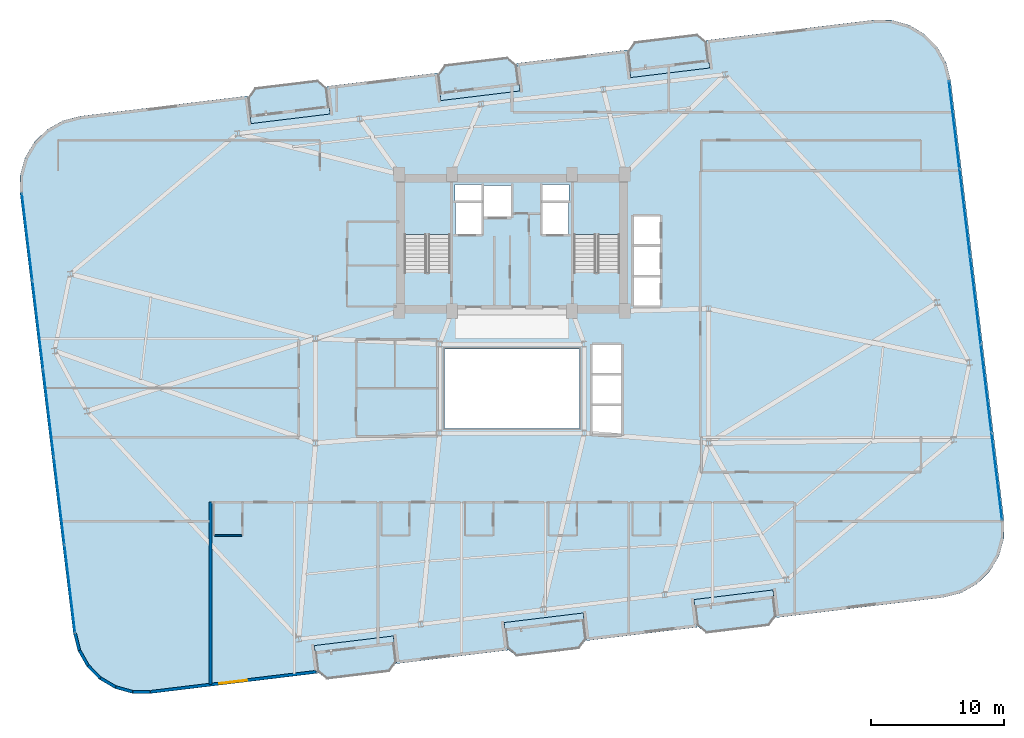
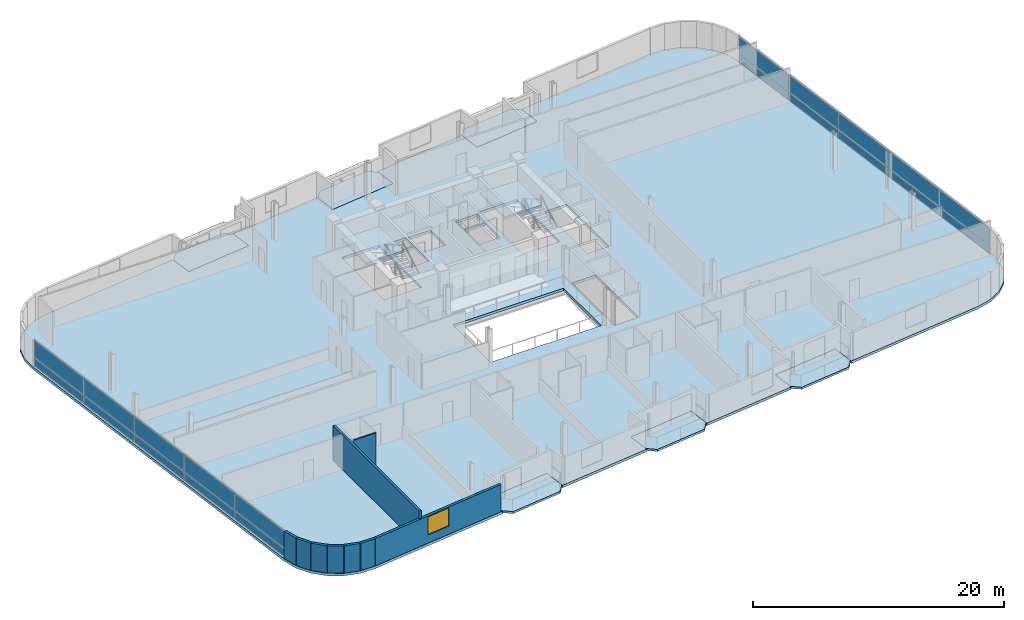
# One storey, part 13 of 22: 20 plates, 9 slabs, 9 walls, 1 window, 1 opening, 4 elements without a shape of their own.
"""IFC4 building model written with IfcOpenShell, lengths in metres."""

from ifc_helpers import new_model, si_unit, direction, frame, frame_2d, origin, origin_2d, place, context, subcontext, project, spatial, polyline, rectangle, outline, extrude, source, transform, mapped, material, layer, layer_set, type_object, element, fill, aggregate, save


model = new_model("IFC4")

# Units and contexts
model_context = context("Model", 3, precision=1e-05, world=origin(), true_north=direction((0.0, 1.0)))
body_context = subcontext(model_context, "Body", "Model", "MODEL_VIEW")
ifc_project = project(units=[si_unit("LENGTHUNIT", "METRE"), si_unit("AREAUNIT", "SQUARE_METRE"), si_unit("VOLUMEUNIT", "CUBIC_METRE"), si_unit("PLANEANGLEUNIT", "RADIAN"), si_unit("MASSUNIT", "GRAM", prefix="KILO")], contexts=[model_context])

# Site, building, storey
site_placement = place(None, origin())
site = spatial("IfcSite", under=ifc_project, at=site_placement, CompositionType="ELEMENT")
building_placement = place(site_placement, origin())
building = spatial("IfcBuilding", under=site, at=building_placement, Name="Varnelok Gate Tower", CompositionType="ELEMENT")
storey_placement = place(building_placement, frame((0.0, 0.0, 204.199951171875)))
storey = spatial("IfcBuildingStorey", under=building, at=storey_placement, Name="L52", CompositionType="ELEMENT", Elevation=204.199951171875)

# Slabs
ifc_material_1 = material(Name="Concrete C45/55", Category="concrete")
ifc_layer_1 = layer(ifc_material_1, 0.199951171875)
ifc_layer_set_1 = layer_set([ifc_layer_1], Name="Concrete C45/55")
slab_type_1 = type_object("IfcSlabType", Name="SLB-BALC-200", PredefinedType="FLOOR", material=ifc_layer_set_1)
slab_1_placement = place(storey_placement, frame((0.0, 0.0, -0.199951171875)))
element("IfcSlab", 1, at=slab_1_placement, inside=storey, type_object=slab_type_1, Name="L52 South Hollow Balcony 1", PredefinedType="FLOOR", context=body_context, shape_type="SweptSolid", body=[
    extrude(outline(polyline([(24.550048828125, 1.564453125), (25.2734375, 0.997314453125), (29.939208984375, 1.56298828125), (30.50634765625, 2.28662109375), (30.265625, 4.27197265625), (24.309326171875, 3.5498046875), (24.550048828125, 1.564453125)])), origin(), (0.0, 0.0, 1.0), 0.199951171875),
])
slab_2_placement = place(storey_placement, frame((0.0, 0.0, -0.199951171875)))
element("IfcSlab", 2, at=slab_2_placement, inside=storey, type_object=slab_type_1, Name="L52 South Hollow Balcony 2", PredefinedType="FLOOR", context=body_context, shape_type="SweptSolid", body=[
    extrude(outline(polyline([(38.84521484375, 3.29736328125), (39.56884765625, 2.73046875), (44.234619140625, 3.2958984375), (44.8017578125, 4.01953125), (44.56103515625, 6.0048828125), (38.6044921875, 5.282958984375), (38.84521484375, 3.29736328125)])), origin(), (0.0, 0.0, 1.0), 0.199951171875),
])
slab_3_placement = place(storey_placement, frame((0.0, 0.0, -0.199951171875)))
element("IfcSlab", 3, at=slab_3_placement, inside=storey, type_object=slab_type_1, Name="L52 South Hollow Balcony 3", PredefinedType="FLOOR", context=body_context, shape_type="SweptSolid", body=[
    extrude(outline(polyline([(53.140625, 5.030517578125), (53.8642578125, 4.46337890625), (58.530029296875, 5.02880859375), (59.09716796875, 5.75244140625), (58.8564453125, 7.73779296875), (52.89990234375, 7.015869140625), (53.140625, 5.030517578125)])), origin(), (0.0, 0.0, 1.0), 0.199951171875),
])
slab_4_placement = place(storey_placement, frame((0.0, 0.0, -0.199951171875)))
element("IfcSlab", 4, at=slab_4_placement, inside=storey, type_object=slab_type_1, Name="L52 North Hollow Balcony 1", PredefinedType="FLOOR", context=body_context, shape_type="SweptSolid", body=[
    extrude(outline(polyline([(19.543701171875, 42.862060546875), (25.5, 43.584228515625), (25.25927734375, 45.569580078125), (24.535888671875, 46.13671875), (19.8701171875, 45.571044921875), (19.302978515625, 44.84765625), (19.543701171875, 42.862060546875)])), origin(), (0.0, 0.0, 1.0), 0.199951171875),
])
slab_5_placement = place(storey_placement, frame((0.0, 0.0, -0.199951171875)))
element("IfcSlab", 5, at=slab_5_placement, inside=storey, type_object=slab_type_1, Name="L52 North Hollow Balcony 2", PredefinedType="FLOOR", context=body_context, shape_type="SweptSolid", body=[
    extrude(outline(polyline([(33.839111328125, 44.59521484375), (39.79541015625, 45.317138671875), (39.5546875, 47.302490234375), (38.831298828125, 47.86962890625), (34.165283203125, 47.303955078125), (33.598388671875, 46.58056640625), (33.839111328125, 44.59521484375)])), origin(), (0.0, 0.0, 1.0), 0.199951171875),
])
slab_6_placement = place(storey_placement, frame((0.0, 0.0, -0.199951171875)))
element("IfcSlab", 6, at=slab_6_placement, inside=storey, type_object=slab_type_1, Name="L52 North Hollow Balcony 3", PredefinedType="FLOOR", context=body_context, shape_type="SweptSolid", body=[
    extrude(outline(polyline([(48.13427734375, 46.327880859375), (54.0908203125, 47.050048828125), (53.85009765625, 49.03564453125), (53.12646484375, 49.6025390625), (48.460693359375, 49.037109375), (47.8935546875, 48.3134765625), (48.13427734375, 46.327880859375)])), origin(), (0.0, 0.0, 1.0), 0.199951171875),
])

# Stair, slab
ifc_material_2 = material(Name="Concrete C50/60", Category="concrete")
stair_type = type_object("IfcStairType", Name="STR-CORE-1650", PredefinedType="HALF_TURN_STAIR", material=ifc_material_2)
stair_1_placement = place(storey_placement, origin())
stair_1 = element("IfcStair", 7, at=stair_1_placement, inside=storey, type_object=stair_type, Name="L52 Exit Stair ST-1", PredefinedType="HALF_TURN_STAIR")
ifc_layer_2 = layer(ifc_material_1, 0.199951171875)
ifc_layer_set_2 = layer_set([ifc_layer_2], Name="Concrete C45/55")
slab_type_2 = type_object("IfcSlabType", Name="SLB-LAND-200", PredefinedType="LANDING", material=ifc_layer_set_2)
slab_7_placement = place(storey_placement, frame((0.0, 0.0, 1.650146484375)))
slab_7 = element("IfcSlab", 8, at=slab_7_placement, type_object=slab_type_2, Name="ST-1 landing 1", PredefinedType="LANDING", context=body_context, shape_type="SweptSolid", body=[
    extrude(outline(polyline([(34.550048828125, 34.5), (34.550048828125, 38.449951171875), (31.10009765625, 38.449951171875), (31.10009765625, 34.5), (34.550048828125, 34.5)])), origin(), (0.0, 0.0, 1.0), 0.199951171875),
])
aggregate(stair_1, [slab_7])

stair_2_placement = place(storey_placement, origin())
stair_2 = element("IfcStair", 9, at=stair_2_placement, inside=storey, type_object=stair_type, Name="L52 Exit Stair ST-2", PredefinedType="HALF_TURN_STAIR")
slab_8_placement = place(storey_placement, frame((0.0, 0.0, 1.650146484375)))
slab_8 = element("IfcSlab", 10, at=slab_8_placement, type_object=slab_type_2, Name="ST-2 landing 1", PredefinedType="LANDING", context=body_context, shape_type="SweptSolid", body=[
    extrude(outline(polyline([(47.300048828125, 34.5), (47.300048828125, 38.449951171875), (43.85009765625, 38.449951171875), (43.85009765625, 34.5), (47.300048828125, 34.5)])), origin(), (0.0, 0.0, 1.0), 0.199951171875),
])
aggregate(stair_2, [slab_8])

# Slab
ifc_layer_3 = layer(ifc_material_2, 0.25)
ifc_layer_set_3 = layer_set([ifc_layer_3], Name="Concrete C50/60")
slab_type_3 = type_object("IfcSlabType", Name="SLB-TYP-250", PredefinedType="FLOOR", material=ifc_layer_set_3)
slab_9_placement = place(storey_placement, frame((0.0, 0.0, -0.25)))
element("IfcSlab", 11, at=slab_9_placement, inside=storey, type_object=slab_type_3, Name="L52 Structural Floor Slab", PredefinedType="FLOOR", context=body_context, shape_type="SweptSolid", body=[
    extrude(outline(polyline([(6.166259765625, 4.47314453125), (6.504150390625, 3.158447265625), (7.1708984375, 1.975830078125), (8.120849609375, 1.006103515625), (9.289306640625, 0.3154296875), (10.596923828125, -0.04931640625), (11.954345703125, -0.063232421875), (22.87451171875, 1.260498046875), (24.56201171875, 1.465087890625), (24.309326171875, 3.5498046875), (30.265625, 4.27197265625), (30.518310546875, 2.187255859375), (38.857421875, 3.197998046875), (38.6044921875, 5.282958984375), (44.56103515625, 6.0048828125), (44.813720703125, 3.920166015625), (53.152587890625, 4.93115234375), (52.89990234375, 7.015869140625), (58.8564453125, 7.73779296875), (59.109130859375, 5.6533203125), (60.796630859375, 5.85791015625), (71.716796875, 7.181396484375), (73.031494140625, 7.519287109375), (74.214111328125, 8.18603515625), (75.183837890625, 9.135986328125), (75.87451171875, 10.3046875), (76.2392578125, 11.612060546875), (76.253173828125, 12.969482421875), (72.233642578125, 46.126708984375), (71.895751953125, 47.441650390625), (71.229248046875, 48.6240234375), (70.279296875, 49.59375), (69.110595703125, 50.284423828125), (67.802978515625, 50.6494140625), (66.44580078125, 50.6630859375), (55.525634765625, 49.33935546875), (53.837890625, 49.134765625), (54.0908203125, 47.050048828125), (48.13427734375, 46.327880859375), (47.881591796875, 48.412841796875), (39.54248046875, 47.40185546875), (39.79541015625, 45.317138671875), (33.839111328125, 44.59521484375), (33.586181640625, 46.6796875), (25.247314453125, 45.6689453125), (25.5, 43.584228515625), (19.543701171875, 42.862060546875), (19.291015625, 44.94677734375), (17.603271484375, 44.7421875), (6.68310546875, 43.41845703125), (5.368408203125, 43.08056640625), (4.18603515625, 42.413818359375), (3.21630859375, 41.464111328125), (2.525390625, 40.29541015625), (2.16064453125, 38.98779296875), (2.146728515625, 37.630615234375), (6.166259765625, 4.47314453125)]), holes=[polyline([(34.550048828125, 31.679931640625), (34.550048828125, 38.449951171875), (31.10009765625, 38.449951171875), (31.10009765625, 31.679931640625), (34.550048828125, 31.679931640625)]), polyline([(47.300048828125, 31.679931640625), (47.300048828125, 38.449951171875), (43.85009765625, 38.449951171875), (43.85009765625, 31.679931640625), (47.300048828125, 31.679931640625)]), polyline([(34.949951171875, 34.550048828125), (36.89990234375, 34.550048828125), (36.89990234375, 36.89990234375), (34.949951171875, 36.89990234375), (34.949951171875, 34.550048828125)]), polyline([(41.5, 34.550048828125), (43.449951171875, 34.550048828125), (43.449951171875, 36.89990234375), (41.5, 36.89990234375), (41.5, 34.550048828125)]), polyline([(37.050048828125, 35.85009765625), (39.14990234375, 35.85009765625), (39.14990234375, 38.199951171875), (37.050048828125, 38.199951171875), (37.050048828125, 35.85009765625)]), polyline([(48.35009765625, 29.14990234375), (50.35009765625, 29.14990234375), (50.35009765625, 35.89990234375), (48.35009765625, 35.89990234375), (48.35009765625, 29.14990234375)]), polyline([(45.25, 19.449951171875), (47.449951171875, 19.449951171875), (47.449951171875, 26.199951171875), (45.25, 26.199951171875), (45.25, 19.449951171875)]), polyline([(34.919921875, 37.080078125), (36.89990234375, 37.080078125), (36.89990234375, 38.280029296875), (34.919921875, 38.280029296875), (34.919921875, 37.080078125)]), polyline([(41.5, 37.080078125), (43.47998046875, 37.080078125), (43.47998046875, 38.280029296875), (41.5, 38.280029296875), (41.5, 37.080078125)]), polyline([(34.10009765625, 19.89990234375), (44.300048828125, 19.89990234375), (44.300048828125, 25.89990234375), (34.10009765625, 25.89990234375), (34.10009765625, 19.89990234375)])]), origin(), (0.0, 0.0, 1.0), 0.25),
])

# Curtain wall, plates
ifc_material_3 = material(Name="Anodized Aluminum Alloy 6063-T6", Category="aluminium")
ifc_layer_4 = layer(ifc_material_3, 0.179931640625)
ifc_layer_set_4 = layer_set([ifc_layer_4], Name="Anodized Aluminum Alloy 6063-T6")
curtain_wall_type = type_object("IfcCurtainWallType", Name="CW4-RESIDENCE-VISION", PredefinedType="USERDEFINED", material=ifc_layer_set_4)
curtain_wall_1_placement = place(storey_placement, origin())
curtain_wall_1 = element("IfcCurtainWall", 12, at=curtain_wall_1_placement, inside=storey, type_object=curtain_wall_type, Name="L52 West End Vision Curtain Wall", ObjectType="UNITISED CURTAIN WALL", PredefinedType="USERDEFINED")
ifc_material_4 = material(Name="Low-E Laminated Double Glazing IGU", Category="glass")
ifc_layer_5 = layer(ifc_material_4, 0.035888671875)
ifc_layer_set_5 = layer_set([ifc_layer_5], Name="Low-E Laminated Double Glazing IGU")
plate_type = type_object("IfcPlateType", Name="CW-PNL-IGU36", PredefinedType="CURTAIN_PANEL", material=ifc_layer_set_5)
shared_shape_1 = source(origin(), body_context, "Body", "SweptSolid", [
    extrude(rectangle(XDim=6.5673828125, YDim=0.035888671875, at=origin_2d()), origin(), (0.0, 0.0, 1.0), 0.78759765625),
])
plate_1_placement = place(storey_placement, frame((5.901123046875, 7.824462890625, 0.074951171875), z_axis=(0.0, 0.0, 1.0), x_axis=(-0.120344511371, 0.992732188751, 0.0)))
plate_1 = element("IfcPlate", 13, at=plate_1_placement, type_object=plate_type, Name="CW4 panel 1.1", PredefinedType="CURTAIN_PANEL", context=body_context, shape_type="MappedRepresentation", body=[
    mapped(shared_shape_1, transform((0.0, 0.0, 0.0), scale=1.0)),
])
plate_2_placement = place(storey_placement, frame((2.68994140625, 34.31298828125, 0.074951171875), z_axis=(0.0, 0.0, 1.0), x_axis=(-0.120344511371, 0.992732188751, 0.0)))
plate_2 = element("IfcPlate", 14, at=plate_2_placement, type_object=plate_type, Name="CW4 panel 5.1", PredefinedType="CURTAIN_PANEL", context=body_context, shape_type="MappedRepresentation", body=[
    mapped(shared_shape_1, transform((0.0, 0.0, 0.0), scale=1.0)),
])

curtain_wall_2_placement = place(storey_placement, origin())
curtain_wall_2 = element("IfcCurtainWall", 15, at=curtain_wall_2_placement, inside=storey, type_object=curtain_wall_type, Name="L52 East End Vision Curtain Wall", ObjectType="UNITISED CURTAIN WALL", PredefinedType="USERDEFINED")
plate_3_placement = place(storey_placement, frame((72.4990234375, 42.775634765625, 0.074951171875), z_axis=(0.0, 0.0, 1.0), x_axis=(0.120344511371, -0.992732188751, 0.0)))
plate_3 = element("IfcPlate", 16, at=plate_3_placement, type_object=plate_type, Name="CW4 panel 1.1", PredefinedType="CURTAIN_PANEL", context=body_context, shape_type="MappedRepresentation", body=[
    mapped(shared_shape_1, transform((0.0, 0.0, 0.0), scale=1.0)),
])
plate_4_placement = place(storey_placement, frame((75.7099609375, 16.287109375, 0.074951171875), z_axis=(0.0, 0.0, 1.0), x_axis=(0.120344511371, -0.992732188751, 0.0)))
plate_4 = element("IfcPlate", 17, at=plate_4_placement, type_object=plate_type, Name="CW4 panel 5.1", PredefinedType="CURTAIN_PANEL", context=body_context, shape_type="MappedRepresentation", body=[
    mapped(shared_shape_1, transform((0.0, 0.0, 0.0), scale=1.0)),
])

# Plate
shared_shape_2 = source(origin(), body_context, "Body", "SweptSolid", [
    extrude(rectangle(XDim=6.60498046875, YDim=0.035888671875, at=origin_2d()), origin(), (0.0, 0.0, 1.0), 0.78759765625),
])
plate_5_placement = place(storey_placement, frame((5.099365234375, 14.437255859375, 0.074951171875), z_axis=(0.0, 0.0, 1.0), x_axis=(-0.120344511371, 0.992732188751, 0.0)))
plate_5 = element("IfcPlate", 18, at=plate_5_placement, type_object=plate_type, Name="CW4 panel 2.1", PredefinedType="CURTAIN_PANEL", context=body_context, shape_type="MappedRepresentation", body=[
    mapped(shared_shape_2, transform((0.0, 0.0, 0.0), scale=1.0)),
])

plate_6_placement = place(storey_placement, frame((4.295654296875, 21.068603515625, 0.074951171875), z_axis=(0.0, 0.0, 1.0), x_axis=(-0.120344511371, 0.992732188751, 0.0)))
plate_6 = element("IfcPlate", 19, at=plate_6_placement, type_object=plate_type, Name="CW4 panel 3.1", PredefinedType="CURTAIN_PANEL", context=body_context, shape_type="MappedRepresentation", body=[
    mapped(shared_shape_2, transform((0.0, 0.0, 0.0), scale=1.0)),
])

plate_7_placement = place(storey_placement, frame((3.49169921875, 27.7001953125, 0.074951171875), z_axis=(0.0, 0.0, 1.0), x_axis=(-0.120344511371, 0.992732188751, 0.0)))
plate_7 = element("IfcPlate", 20, at=plate_7_placement, type_object=plate_type, Name="CW4 panel 4.1", PredefinedType="CURTAIN_PANEL", context=body_context, shape_type="MappedRepresentation", body=[
    mapped(shared_shape_2, transform((0.0, 0.0, 0.0), scale=1.0)),
])

plate_8_placement = place(storey_placement, frame((73.300537109375, 36.162841796875, 0.074951171875), z_axis=(0.0, 0.0, 1.0), x_axis=(0.120344511371, -0.992732188751, 0.0)))
plate_8 = element("IfcPlate", 21, at=plate_8_placement, type_object=plate_type, Name="CW4 panel 2.1", PredefinedType="CURTAIN_PANEL", context=body_context, shape_type="MappedRepresentation", body=[
    mapped(shared_shape_2, transform((0.0, 0.0, 0.0), scale=1.0)),
])

plate_9_placement = place(storey_placement, frame((74.1044921875, 29.53125, 0.074951171875), z_axis=(0.0, 0.0, 1.0), x_axis=(0.120344511371, -0.992732188751, 0.0)))
plate_9 = element("IfcPlate", 22, at=plate_9_placement, type_object=plate_type, Name="CW4 panel 3.1", PredefinedType="CURTAIN_PANEL", context=body_context, shape_type="MappedRepresentation", body=[
    mapped(shared_shape_2, transform((0.0, 0.0, 0.0), scale=1.0)),
])

plate_10_placement = place(storey_placement, frame((74.908447265625, 22.89990234375, 0.074951171875), z_axis=(0.0, 0.0, 1.0), x_axis=(0.120344511371, -0.992732188751, 0.0)))
plate_10 = element("IfcPlate", 23, at=plate_10_placement, type_object=plate_type, Name="CW4 panel 4.1", PredefinedType="CURTAIN_PANEL", context=body_context, shape_type="MappedRepresentation", body=[
    mapped(shared_shape_2, transform((0.0, 0.0, 0.0), scale=1.0)),
])

shared_shape_3 = source(origin(), body_context, "Body", "SweptSolid", [
    extrude(rectangle(XDim=6.5673828125, YDim=0.035888671875, at=origin_2d()), origin(), (0.0, 0.0, 1.0), 1.6474609375),
])
plate_11_placement = place(storey_placement, frame((5.901123046875, 7.824462890625, 0.9375), z_axis=(0.0, 0.0, 1.0), x_axis=(-0.120344511371, 0.992732188751, 0.0)))
plate_11 = element("IfcPlate", 24, at=plate_11_placement, type_object=plate_type, Name="CW4 panel 1.2", PredefinedType="CURTAIN_PANEL", context=body_context, shape_type="MappedRepresentation", body=[
    mapped(shared_shape_3, transform((0.0, 0.0, 0.0), scale=1.0)),
])

plate_12_placement = place(storey_placement, frame((2.68994140625, 34.31298828125, 0.9375), z_axis=(0.0, 0.0, 1.0), x_axis=(-0.120344511371, 0.992732188751, 0.0)))
plate_12 = element("IfcPlate", 25, at=plate_12_placement, type_object=plate_type, Name="CW4 panel 5.2", PredefinedType="CURTAIN_PANEL", context=body_context, shape_type="MappedRepresentation", body=[
    mapped(shared_shape_3, transform((0.0, 0.0, 0.0), scale=1.0)),
])

plate_13_placement = place(storey_placement, frame((72.4990234375, 42.775634765625, 0.9375), z_axis=(0.0, 0.0, 1.0), x_axis=(0.120344511371, -0.992732188751, 0.0)))
plate_13 = element("IfcPlate", 26, at=plate_13_placement, type_object=plate_type, Name="CW4 panel 1.2", PredefinedType="CURTAIN_PANEL", context=body_context, shape_type="MappedRepresentation", body=[
    mapped(shared_shape_3, transform((0.0, 0.0, 0.0), scale=1.0)),
])

plate_14_placement = place(storey_placement, frame((75.7099609375, 16.287109375, 0.9375), z_axis=(0.0, 0.0, 1.0), x_axis=(0.120344511371, -0.992732188751, 0.0)))
plate_14 = element("IfcPlate", 27, at=plate_14_placement, type_object=plate_type, Name="CW4 panel 5.2", PredefinedType="CURTAIN_PANEL", context=body_context, shape_type="MappedRepresentation", body=[
    mapped(shared_shape_3, transform((0.0, 0.0, 0.0), scale=1.0)),
])

shared_shape_4 = source(origin(), body_context, "Body", "SweptSolid", [
    extrude(rectangle(XDim=6.60498046875, YDim=0.035888671875, at=origin_2d()), origin(), (0.0, 0.0, 1.0), 1.6474609375),
])
plate_15_placement = place(storey_placement, frame((5.099365234375, 14.437255859375, 0.9375), z_axis=(0.0, 0.0, 1.0), x_axis=(-0.120344511371, 0.992732188751, 0.0)))
plate_15 = element("IfcPlate", 28, at=plate_15_placement, type_object=plate_type, Name="CW4 panel 2.2", PredefinedType="CURTAIN_PANEL", context=body_context, shape_type="MappedRepresentation", body=[
    mapped(shared_shape_4, transform((0.0, 0.0, 0.0), scale=1.0)),
])

plate_16_placement = place(storey_placement, frame((4.295654296875, 21.068603515625, 0.9375), z_axis=(0.0, 0.0, 1.0), x_axis=(-0.120344511371, 0.992732188751, 0.0)))
plate_16 = element("IfcPlate", 29, at=plate_16_placement, type_object=plate_type, Name="CW4 panel 3.2", PredefinedType="CURTAIN_PANEL", context=body_context, shape_type="MappedRepresentation", body=[
    mapped(shared_shape_4, transform((0.0, 0.0, 0.0), scale=1.0)),
])

plate_17_placement = place(storey_placement, frame((3.49169921875, 27.7001953125, 0.9375), z_axis=(0.0, 0.0, 1.0), x_axis=(-0.120344511371, 0.992732188751, 0.0)))
plate_17 = element("IfcPlate", 30, at=plate_17_placement, type_object=plate_type, Name="CW4 panel 4.2", PredefinedType="CURTAIN_PANEL", context=body_context, shape_type="MappedRepresentation", body=[
    mapped(shared_shape_4, transform((0.0, 0.0, 0.0), scale=1.0)),
])

aggregate(curtain_wall_1, [plate_1, plate_11, plate_5, plate_15, plate_6, plate_16, plate_7, plate_17, plate_2, plate_12])

plate_18_placement = place(storey_placement, frame((73.300537109375, 36.162841796875, 0.9375), z_axis=(0.0, 0.0, 1.0), x_axis=(0.120344511371, -0.992732188751, 0.0)))
plate_18 = element("IfcPlate", 31, at=plate_18_placement, type_object=plate_type, Name="CW4 panel 2.2", PredefinedType="CURTAIN_PANEL", context=body_context, shape_type="MappedRepresentation", body=[
    mapped(shared_shape_4, transform((0.0, 0.0, 0.0), scale=1.0)),
])

plate_19_placement = place(storey_placement, frame((74.1044921875, 29.53125, 0.9375), z_axis=(0.0, 0.0, 1.0), x_axis=(0.120344511371, -0.992732188751, 0.0)))
plate_19 = element("IfcPlate", 32, at=plate_19_placement, type_object=plate_type, Name="CW4 panel 3.2", PredefinedType="CURTAIN_PANEL", context=body_context, shape_type="MappedRepresentation", body=[
    mapped(shared_shape_4, transform((0.0, 0.0, 0.0), scale=1.0)),
])

plate_20_placement = place(storey_placement, frame((74.908447265625, 22.89990234375, 0.9375), z_axis=(0.0, 0.0, 1.0), x_axis=(0.120344511371, -0.992732188751, 0.0)))
plate_20 = element("IfcPlate", 33, at=plate_20_placement, type_object=plate_type, Name="CW4 panel 4.2", PredefinedType="CURTAIN_PANEL", context=body_context, shape_type="MappedRepresentation", body=[
    mapped(shared_shape_4, transform((0.0, 0.0, 0.0), scale=1.0)),
])

aggregate(curtain_wall_2, [plate_3, plate_13, plate_8, plate_18, plate_9, plate_19, plate_10, plate_20, plate_4, plate_14])

# Walls
ifc_layer_6 = layer(ifc_material_1, 0.219970703125)
ifc_layer_set_6 = layer_set([ifc_layer_6], Name="Concrete C45/55")
wall_type_1 = type_object("IfcWallType", Name="EW-BALC-220", PredefinedType="SOLIDWALL", material=ifc_layer_set_6)
wall_1_placement = place(storey_placement, frame((6.286376953125, 4.48779296875, 0.0), z_axis=(0.0, 0.0, 1.0), x_axis=(0.248942347653, -0.968518305219, 0.0)))
element("IfcWall", 34, at=wall_1_placement, inside=storey, type_object=wall_type_1, Name="L52 Perimeter Facade Closure Wall 1", PredefinedType="SOLIDWALL", context=body_context, shape_type="SweptSolid", body=[
    extrude(rectangle(XDim=1.325927734375, YDim=0.219970703125, at=frame_2d((0.6630859375, 0.0))), origin(), (0.0, 0.0, 1.0), 2.66015625),
])
for number, where, z_axis, x_axis, name in (
    (35, (6.62890625, 3.181884765625, 0.0), (0.0, 0.0, 1.0), (0.490956091431, -0.871184318205, 0.0), "L52 Perimeter Facade Closure Wall 2"),
    (36, (7.28515625, 2.03076171875, 0.0), (0.0, 0.0, 1.0), (0.699844331926, -0.714295394827, 0.0), "L52 Perimeter Facade Closure Wall 3"),
    (37, (8.217041015625, 1.088623046875, 0.0), (0.0, 0.0, 1.0), (0.860885425627, -0.508798863936, 0.0), "L52 Perimeter Facade Closure Wall 4"),
):
    element("IfcWall", number, at=place(storey_placement, frame(where, z_axis=z_axis, x_axis=x_axis)), inside=storey, type_object=wall_type_1, Name=name, PredefinedType="SOLIDWALL", context=body_context, shape_type="SweptSolid", body=[
        extrude(rectangle(XDim=1.30078125, YDim=0.219970703125, at=frame_2d((0.650390625, 0.0))), origin(), (0.0, 0.0, 1.0), 2.66015625),
    ])
wall_2_placement = place(storey_placement, frame((9.36083984375, 0.420166015625, 0.0), z_axis=(0.0, 0.0, 1.0), x_axis=(0.963218895288, -0.268717992997, 0.0)))
element("IfcWall", 38, at=wall_2_placement, inside=storey, type_object=wall_type_1, Name="L52 Perimeter Facade Closure Wall 5", PredefinedType="SOLIDWALL", context=body_context, shape_type="SweptSolid", body=[
    extrude(rectangle(XDim=1.301025390625, YDim=0.219970703125, at=frame_2d((0.650390625, 0.0))), origin(), (0.0, 0.0, 1.0), 2.66015625),
])
wall_3_placement = place(storey_placement, frame((10.638916015625, 0.0703125, 0.0), z_axis=(0.0, 0.0, 1.0), x_axis=(0.999947377741, -0.010258740119, 0.0)))
element("IfcWall", 39, at=wall_3_placement, inside=storey, type_object=wall_type_1, Name="L52 Perimeter Facade Closure Wall 6", PredefinedType="SOLIDWALL", context=body_context, shape_type="SweptSolid", body=[
    extrude(rectangle(XDim=1.308837890625, YDim=0.219970703125, at=frame_2d((0.654296875, 0.0))), origin(), (0.0, 0.0, 1.0), 2.66015625),
])

# Wall, opening, window
wall_4_placement = place(storey_placement, frame((11.972412109375, 0.059814453125, 0.0), z_axis=(0.0, 0.0, 1.0), x_axis=(0.992732021049, 0.120345894751, 0.0)))
wall_4 = element("IfcWall", 40, at=wall_4_placement, inside=storey, type_object=wall_type_1, Name="L52 Perimeter Facade Closure Wall 7", PredefinedType="SOLIDWALL", context=body_context, shape_type="SweptSolid", body=[
    extrude(rectangle(XDim=12.54736328125, YDim=0.219970703125, at=frame_2d((6.273681640625, 0.0))), origin(), (0.0, 0.0, 1.0), 2.66015625),
])
opening_placement = place(wall_4_placement, frame((5.2236328125, 0.0, 0.800048828125)))
opening = element("IfcOpeningElement", 41, at=opening_placement, cuts=wall_4, Name="Opening WN4", PredefinedType="OPENING", context=body_context, shape_type="SweptSolid", body=[
    extrude(rectangle(XDim=2.10009765625, YDim=1.75, at=frame_2d((1.050048828125, 0.875))), frame((0.0, 0.119873046875, 0.0), z_axis=(0.0, -1.0, 0.0), x_axis=(1.0, 0.0, 0.0)), (0.0, 0.0, 1.0), 0.239990234375),
])
window_type = type_object("IfcWindowType", Name="WN-SUI-2100", PartitioningType="SINGLE_PANEL", PredefinedType="WINDOW", material=ifc_material_4)
window_placement = place(opening_placement, origin())
window = element("IfcWindow", 42, at=window_placement, inside=storey, type_object=window_type, Name="L52 Perimeter Vision Window 7", OverallHeight=1.75, OverallWidth=2.10009765625, PartitioningType="SINGLE_PANEL", PredefinedType="WINDOW", context=body_context, shape_type="SweptSolid", body=[
    extrude(rectangle(XDim=2.10009765625, YDim=1.75, at=frame_2d((1.050048828125, 0.875))), frame((0.0, 0.030029296875, 0.0), z_axis=(0.0, -1.0, 0.0), x_axis=(1.0, 0.0, 0.0)), (0.0, 0.0, 1.0), 0.06005859375),
])
fill(opening, window)

# Walls
ifc_material_5 = material(Name="Gypsum Plasterboard Acoustic Partition", Category="gypsum")
ifc_layer_7 = layer(ifc_material_5, 0.114990234375)
ifc_layer_set_7 = layer_set([ifc_layer_7], Name="Gypsum Plasterboard Acoustic Partition")
wall_type_2 = type_object("IfcWallType", Name="PW-ENS-125", PredefinedType="PARTITIONING", material=ifc_layer_set_7)
wall_5_placement = place(storey_placement, frame((16.800048828125, 11.830078125, 0.0), z_axis=(0.0, 0.0, 1.0), x_axis=(1.0, 0.0, 0.0)))
element("IfcWall", 43, at=wall_5_placement, inside=storey, type_object=wall_type_2, Name="Interior Partition", PredefinedType="PARTITIONING", context=body_context, shape_type="SweptSolid", body=[
    extrude(rectangle(XDim=2.052001953125, YDim=0.114990234375, at=frame_2d((1.02587890625, 0.0))), origin(), (0.0, 0.0, 1.0), 3.380126953125),
])
ifc_layer_8 = layer(ifc_material_5, 0.205078125)
ifc_layer_set_8 = layer_set([ifc_layer_8], Name="Gypsum Plasterboard Acoustic Partition")
wall_type_3 = type_object("IfcWallType", Name="PW-PARTY-200", PredefinedType="PARTITIONING", material=ifc_layer_set_8)
wall_6_placement = place(storey_placement, frame((16.5, 0.62890625, 0.0), z_axis=(0.0, 0.0, 1.0), x_axis=(0.0, 1.0, 0.0)))
element("IfcWall", 44, at=wall_6_placement, inside=storey, type_object=wall_type_3, Name="L52 South Party Wall 1", PredefinedType="PARTITIONING", context=body_context, shape_type="SweptSolid", body=[
    extrude(rectangle(XDim=13.72119140625, YDim=0.205078125, at=frame_2d((6.860595703125, 0.0))), origin(), (0.0, 0.0, 1.0), 3.380126953125),
])

save(model, "model.ifc")
